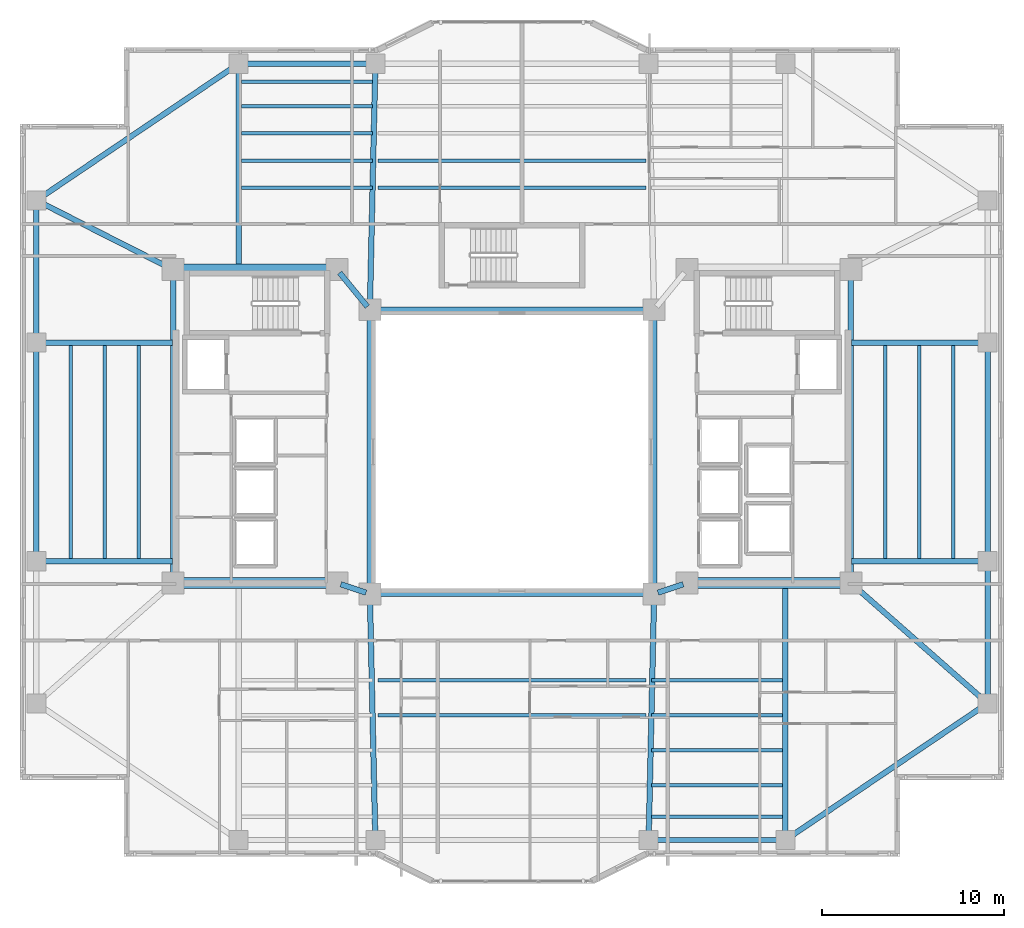
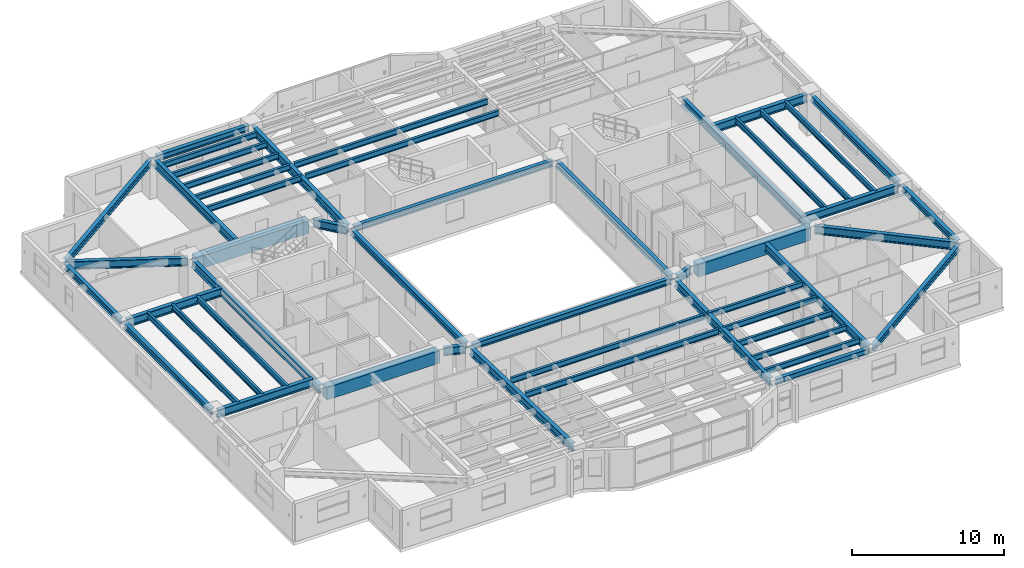
# One storey, part 3 of 18: 51 beams.
"""IFC4 building model written with IfcOpenShell, lengths in metres."""

from ifc_helpers import new_model, si_unit, direction, frame, origin, origin_2d, place, context, subcontext, project, spatial, rectangle, i_section, extrude, material, material_profile, profile_set, type_object, element, save


model = new_model("IFC4")

# Units and contexts
model_context = context("Model", 3, precision=1e-05, world=origin(), true_north=direction((0.0, 1.0)))
body_context = subcontext(model_context, "Body", "Model", "MODEL_VIEW")
ifc_project = project(units=[si_unit("LENGTHUNIT", "METRE"), si_unit("AREAUNIT", "SQUARE_METRE"), si_unit("VOLUMEUNIT", "CUBIC_METRE"), si_unit("PLANEANGLEUNIT", "RADIAN"), si_unit("MASSUNIT", "GRAM", prefix="KILO")], contexts=[model_context])

# Site, building, storey
site_placement = place(None, origin())
site = spatial("IfcSite", under=ifc_project, at=site_placement, CompositionType="ELEMENT")
building_placement = place(site_placement, origin())
building = spatial("IfcBuilding", under=site, at=building_placement, Name="Tarnavaz Court Tower", CompositionType="ELEMENT")
storey_placement = place(building_placement, frame((0.0, 0.0, 115.14990234375)))
storey = spatial("IfcBuildingStorey", under=building, at=storey_placement, Name="L31", CompositionType="ELEMENT", Elevation=115.14990234375)

# Beams
ifc_material_1 = material(Name="Concrete C60/75", Category="concrete")
ifc_material_profile_1 = material_profile(ifc_material_1, rectangle(XDim=0.60009765625, YDim=1.0, at=origin_2d()), Name="RC 600X1000")
ifc_profile_set_1 = profile_set([ifc_material_profile_1], Name="Concrete C60/75")
beam_type_1 = type_object("IfcBeamType", Name="BM-CB1000", PredefinedType="LINTEL", material=ifc_profile_set_1)
for number, where, z_axis, x_axis, name in (
    (1, (-18.3798828125, -7.199951171875, 2.550048828125), (1.0, 0.0, 0.0), (0.0, 1.0, 0.0), "L31 Beam IN-CW-SO-CW-SI"),
    (2, (-18.3798828125, 10.0, 2.550048828125), (1.0, 0.0, 0.0), (0.0, 1.0, 0.0), "L31 Beam IN-CW-NO-CW-NI"),
    (3, (18.3798828125, -7.199951171875, 2.550048828125), (-1.0, 0.0, 0.0), (0.0, -1.0, 0.0), "L31 Beam IN-CE-SO-CE-SI"),
):
    element("IfcBeam", number, at=place(storey_placement, frame(where, z_axis=z_axis, x_axis=x_axis)), inside=storey, type_object=beam_type_1, Name=name, PredefinedType="LINTEL", context=body_context, shape_type="SweptSolid", body=[
        extrude(rectangle(XDim=0.60009765625, YDim=1.0, at=origin_2d()), origin(), (0.0, 0.0, 1.0), 8.559814453125),
    ])
ifc_material_2 = material(Name="Steel S355", Category="steel")
ifc_material_profile_2 = material_profile(ifc_material_2, i_section(OverallWidth=0.300048828125, OverallDepth=0.64990234375, WebThickness=0.01611328125, FlangeThickness=0.031005859375, FilletRadius=0.027099609375, at=origin_2d()), Name="HEB 650")
ifc_profile_set_2 = profile_set([ifc_material_profile_2], Name="Steel S355")
beam_type_2 = type_object("IfcBeamType", Name="BM-G-HEB650", PredefinedType="USERDEFINED", material=ifc_profile_set_2)
for number, where, z_axis, x_axis, name in (
    (4, (-9.391357421875, -7.26953125, 2.72509765625), (0.948666544706, -0.316278021615, 0.0), (0.316278021615, 0.948666544706, 0.0), "L31 Beam IN-CW-SI-IW-SW"),
    (5, (9.391357421875, -7.26953125, 2.72509765625), (-0.948666544706, -0.316278021615, 0.0), (0.316278021615, -0.948666544706, 0.0), "L31 Beam IN-CE-SI-IW-SE"),
):
    element("IfcBeam", number, at=place(storey_placement, frame(where, z_axis=z_axis, x_axis=x_axis)), inside=storey, type_object=beam_type_2, Name=name, ObjectType="GIRDER", PredefinedType="USERDEFINED", context=body_context, shape_type="SweptSolid", body=[
        extrude(i_section(OverallWidth=0.300048828125, OverallDepth=0.64990234375, WebThickness=0.01611328125, FlangeThickness=0.031005859375, FilletRadius=0.027099609375, at=origin_2d()), origin(), (0.0, 0.0, 1.0), 1.457275390625),
    ])
beam_1_placement = place(storey_placement, frame((-9.460693359375, 9.82958984375, 2.72509765625), z_axis=(0.633282058357, -0.773921077735, 0.0), x_axis=(0.773921077735, 0.633282058357, 0.0)))
element("IfcBeam", 6, at=beam_1_placement, inside=storey, type_object=beam_type_2, Name="L31 Beam IN-CW-NI-IW-NW", ObjectType="GIRDER", PredefinedType="USERDEFINED", context=body_context, shape_type="SweptSolid", body=[
    extrude(i_section(OverallWidth=0.300048828125, OverallDepth=0.64990234375, WebThickness=0.01611328125, FlangeThickness=0.031005859375, FilletRadius=0.027099609375, at=origin_2d()), origin(), (0.0, 0.0, 1.0), 2.402587890625),
])
for number, where, z_axis, x_axis, name in (
    (7, (-18.60009765625, -6.97998046875, 2.72509765625), (0.0, 1.0, 0.0), (-1.0, 0.0, 0.0), "L31 Beam IN-CW-SO-CW-NO"),
    (8, (18.60009765625, -6.97998046875, 2.72509765625), (0.0, 1.0, 0.0), (-1.0, 0.0, 0.0), "L31 Beam IN-CE-SO-CE-NO"),
):
    element("IfcBeam", number, at=place(storey_placement, frame(where, z_axis=z_axis, x_axis=x_axis)), inside=storey, type_object=beam_type_2, Name=name, ObjectType="GIRDER", PredefinedType="USERDEFINED", context=body_context, shape_type="SweptSolid", body=[
        extrude(i_section(OverallWidth=0.300048828125, OverallDepth=0.64990234375, WebThickness=0.01611328125, FlangeThickness=0.031005859375, FilletRadius=0.027099609375, at=origin_2d()), origin(), (0.0, 0.0, 1.0), 16.760009765625),
    ])
beam_2_placement = place(storey_placement, frame((-15.0, 10.0400390625, 2.72509765625), z_axis=(0.0, 1.0, 0.0), x_axis=(-1.0, 0.0, 0.0)))
element("IfcBeam", 9, at=beam_2_placement, inside=storey, type_object=beam_type_2, Name="L31 Beam RG-01", ObjectType="GIRDER", PredefinedType="USERDEFINED", context=body_context, shape_type="SweptSolid", body=[
    extrude(i_section(OverallWidth=0.300048828125, OverallDepth=0.64990234375, WebThickness=0.01611328125, FlangeThickness=0.031005859375, FilletRadius=0.027099609375, at=origin_2d()), origin(), (0.0, 0.0, 1.0), 11.0400390625),
])
for number, where, z_axis, x_axis, name in (
    (10, (-7.795166015625, 8.02001953125, 2.72509765625), (0.022221303469, 0.99975307635, 0.0), (-0.99975307635, 0.022221303469, 0.0), "L31 Beam RG-02"),
    (11, (-7.795166015625, -8.02001953125, 2.72509765625), (0.022221303469, -0.99975307635, 0.0), (0.99975307635, 0.022221303469, 0.0), "L31 Beam RG-06"),
    (12, (7.795166015625, -8.02001953125, 2.72509765625), (-0.022221303469, -0.99975307635, 0.0), (0.99975307635, -0.022221303469, 0.0), "L31 Beam RG-07"),
):
    element("IfcBeam", number, at=place(storey_placement, frame(where, z_axis=z_axis, x_axis=x_axis)), inside=storey, type_object=beam_type_2, Name=name, ObjectType="GIRDER", PredefinedType="USERDEFINED", context=body_context, shape_type="SweptSolid", body=[
        extrude(i_section(OverallWidth=0.300048828125, OverallDepth=0.64990234375, WebThickness=0.01611328125, FlangeThickness=0.031005859375, FilletRadius=0.027099609375, at=origin_2d()), origin(), (0.0, 0.0, 1.0), 13.063232421875),
    ])
beam_3_placement = place(storey_placement, frame((15.0, -7.239990234375, 2.72509765625), z_axis=(0.0, -1.0, 0.0), x_axis=(1.0, 0.0, 0.0)))
element("IfcBeam", 13, at=beam_3_placement, inside=storey, type_object=beam_type_2, Name="L31 Beam RG-08", ObjectType="GIRDER", PredefinedType="USERDEFINED", context=body_context, shape_type="SweptSolid", body=[
    extrude(i_section(OverallWidth=0.300048828125, OverallDepth=0.64990234375, WebThickness=0.01611328125, FlangeThickness=0.031005859375, FilletRadius=0.027099609375, at=origin_2d()), origin(), (0.0, 0.0, 1.0), 13.840087890625),
])
for number, where, z_axis, x_axis, name in (
    (14, (18.639892578125, -6.0, 2.72509765625), (1.0, 0.0, 0.0), (0.0, 1.0, 0.0), "L31 Beam RG-09"),
    (15, (18.639892578125, 6.0, 2.72509765625), (1.0, 0.0, 0.0), (0.0, 1.0, 0.0), "L31 Beam RG-10"),
):
    element("IfcBeam", number, at=place(storey_placement, frame(where, z_axis=z_axis, x_axis=x_axis)), inside=storey, type_object=beam_type_2, Name=name, ObjectType="GIRDER", PredefinedType="USERDEFINED", context=body_context, shape_type="SweptSolid", body=[
        extrude(i_section(OverallWidth=0.300048828125, OverallDepth=0.64990234375, WebThickness=0.01611328125, FlangeThickness=0.031005859375, FilletRadius=0.027099609375, at=origin_2d()), origin(), (0.0, 0.0, 1.0), 7.239990234375),
    ])
beam_4_placement = place(storey_placement, frame((18.76513671875, -7.34521484375, 2.72509765625), z_axis=(0.750700332035, -0.660642877417, 0.0), x_axis=(0.660642877417, 0.750700332035, 0.0)))
element("IfcBeam", 16, at=beam_4_placement, inside=storey, type_object=beam_type_2, Name="L31 Beam RG-11", ObjectType="GIRDER", PredefinedType="USERDEFINED", context=body_context, shape_type="SweptSolid", body=[
    extrude(i_section(OverallWidth=0.300048828125, OverallDepth=0.64990234375, WebThickness=0.01611328125, FlangeThickness=0.031005859375, FilletRadius=0.027099609375, at=origin_2d()), origin(), (0.0, 0.0, 1.0), 9.550537109375),
])
for number, where, z_axis, x_axis, name in (
    (17, (-18.639892578125, -6.0, 2.72509765625), (-1.0, 0.0, 0.0), (0.0, -1.0, 0.0), "L31 Beam RG-13"),
    (18, (-18.639892578125, 6.0, 2.72509765625), (-1.0, 0.0, 0.0), (0.0, -1.0, 0.0), "L31 Beam RG-14"),
):
    element("IfcBeam", number, at=place(storey_placement, frame(where, z_axis=z_axis, x_axis=x_axis)), inside=storey, type_object=beam_type_2, Name=name, ObjectType="GIRDER", PredefinedType="USERDEFINED", context=body_context, shape_type="SweptSolid", body=[
        extrude(i_section(OverallWidth=0.300048828125, OverallDepth=0.64990234375, WebThickness=0.01611328125, FlangeThickness=0.031005859375, FilletRadius=0.027099609375, at=origin_2d()), origin(), (0.0, 0.0, 1.0), 7.239990234375),
    ])
beam_5_placement = place(storey_placement, frame((-18.796142578125, 10.099365234375, 2.72509765625), z_axis=(-0.892030669981, 0.451974870776, 0.0), x_axis=(-0.451974870776, -0.892030669981, 0.0)))
element("IfcBeam", 19, at=beam_5_placement, inside=storey, type_object=beam_type_2, Name="L31 Beam RG-16", ObjectType="GIRDER", PredefinedType="USERDEFINED", context=body_context, shape_type="SweptSolid", body=[
    extrude(i_section(OverallWidth=0.300048828125, OverallDepth=0.64990234375, WebThickness=0.01611328125, FlangeThickness=0.031005859375, FilletRadius=0.027099609375, at=origin_2d()), origin(), (0.0, 0.0, 1.0), 7.968017578125),
])
ifc_material_profile_3 = material_profile(ifc_material_2, i_section(OverallWidth=0.18994140625, OverallDepth=0.449951171875, WebThickness=0.009521484375, FlangeThickness=0.0146484375, FilletRadius=0.02099609375, at=origin_2d()), Name="IPE 450")
ifc_profile_set_3 = profile_set([ifc_material_profile_3], Name="Steel S355")
beam_type_3 = type_object("IfcBeamType", Name="BM-J-IPE450", PredefinedType="JOIST", material=ifc_profile_set_3)
beam_6_placement = place(storey_placement, frame((-14.85009765625, 14.493896484375, 2.8251953125), z_axis=(1.0, 0.0, 0.0), x_axis=(0.0, 1.0, 0.0)))
element("IfcBeam", 20, at=beam_6_placement, inside=storey, type_object=beam_type_3, Name="L31 Beam JN1-1", PredefinedType="JOIST", context=body_context, shape_type="SweptSolid", body=[
    extrude(i_section(OverallWidth=0.18994140625, OverallDepth=0.449951171875, WebThickness=0.009521484375, FlangeThickness=0.0146484375, FilletRadius=0.02099609375, at=origin_2d()), origin(), (0.0, 0.0, 1.0), 7.2001953125),
])
for number, where, z_axis, x_axis, name in (
    (21, (-7.35009765625, 14.493896484375, 2.8251953125), (1.0, 0.0, 0.0), (0.0, 1.0, 0.0), "L31 Beam JN1-2"),
    (22, (-7.35009765625, -12.52587890625, 2.8251953125), (1.0, 0.0, 0.0), (0.0, 1.0, 0.0), "L31 Beam JS1-2"),
):
    element("IfcBeam", number, at=place(storey_placement, frame(where, z_axis=z_axis, x_axis=x_axis)), inside=storey, type_object=beam_type_3, Name=name, PredefinedType="JOIST", context=body_context, shape_type="SweptSolid", body=[
        extrude(i_section(OverallWidth=0.18994140625, OverallDepth=0.449951171875, WebThickness=0.009521484375, FlangeThickness=0.0146484375, FilletRadius=0.02099609375, at=origin_2d()), origin(), (0.0, 0.0, 1.0), 14.7001953125),
    ])
for number, where, z_axis, x_axis, name in (
    (23, (7.64990234375, -12.52587890625, 2.8251953125), (1.0, 0.0, 0.0), (0.0, 1.0, 0.0), "L31 Beam JS1-3"),
    (24, (-14.85009765625, 15.988037109375, 2.8251953125), (1.0, 0.0, 0.0), (0.0, 1.0, 0.0), "L31 Beam JN2-1"),
):
    element("IfcBeam", number, at=place(storey_placement, frame(where, z_axis=z_axis, x_axis=x_axis)), inside=storey, type_object=beam_type_3, Name=name, PredefinedType="JOIST", context=body_context, shape_type="SweptSolid", body=[
        extrude(i_section(OverallWidth=0.18994140625, OverallDepth=0.449951171875, WebThickness=0.009521484375, FlangeThickness=0.0146484375, FilletRadius=0.02099609375, at=origin_2d()), origin(), (0.0, 0.0, 1.0), 7.2001953125),
    ])
for number, where, z_axis, x_axis, name in (
    (25, (-7.35009765625, 15.988037109375, 2.8251953125), (1.0, 0.0, 0.0), (0.0, 1.0, 0.0), "L31 Beam JN2-2"),
    (26, (-7.35009765625, -14.451904296875, 2.8251953125), (1.0, 0.0, 0.0), (0.0, 1.0, 0.0), "L31 Beam JS2-2"),
):
    element("IfcBeam", number, at=place(storey_placement, frame(where, z_axis=z_axis, x_axis=x_axis)), inside=storey, type_object=beam_type_3, Name=name, PredefinedType="JOIST", context=body_context, shape_type="SweptSolid", body=[
        extrude(i_section(OverallWidth=0.18994140625, OverallDepth=0.449951171875, WebThickness=0.009521484375, FlangeThickness=0.0146484375, FilletRadius=0.02099609375, at=origin_2d()), origin(), (0.0, 0.0, 1.0), 14.7001953125),
    ])
for number, where, z_axis, x_axis, name in (
    (27, (7.64990234375, -14.451904296875, 2.8251953125), (1.0, 0.0, 0.0), (0.0, 1.0, 0.0), "L31 Beam JS2-3"),
    (28, (-14.85009765625, 17.48193359375, 2.8251953125), (1.0, 0.0, 0.0), (0.0, 1.0, 0.0), "L31 Beam JN3-1"),
    (29, (7.64990234375, -16.3779296875, 2.8251953125), (1.0, 0.0, 0.0), (0.0, 1.0, 0.0), "L31 Beam JS3-3"),
    (30, (-14.85009765625, 18.97607421875, 2.8251953125), (1.0, 0.0, 0.0), (0.0, 1.0, 0.0), "L31 Beam JN4-1"),
    (31, (7.64990234375, -18.303955078125, 2.8251953125), (1.0, 0.0, 0.0), (0.0, 1.0, 0.0), "L31 Beam JS4-3"),
    (32, (-14.85009765625, 20.303955078125, 2.8251953125), (1.0, 0.0, 0.0), (0.0, 1.0, 0.0), "L31 Beam JN5-1"),
    (33, (7.64990234375, -20.01611328125, 2.8251953125), (1.0, 0.0, 0.0), (0.0, 1.0, 0.0), "L31 Beam JS5-3"),
):
    element("IfcBeam", number, at=place(storey_placement, frame(where, z_axis=z_axis, x_axis=x_axis)), inside=storey, type_object=beam_type_3, Name=name, PredefinedType="JOIST", context=body_context, shape_type="SweptSolid", body=[
        extrude(i_section(OverallWidth=0.18994140625, OverallDepth=0.449951171875, WebThickness=0.009521484375, FlangeThickness=0.0146484375, FilletRadius=0.02099609375, at=origin_2d()), origin(), (0.0, 0.0, 1.0), 7.2001953125),
    ])
for number, where, z_axis, x_axis, name in (
    (34, (20.47509765625, -5.9599609375, 2.8251953125), (0.0, 1.0, 0.0), (-1.0, 0.0, 0.0), "L31 Beam JE1"),
    (35, (-20.47509765625, -5.9599609375, 2.8251953125), (0.0, 1.0, 0.0), (-1.0, 0.0, 0.0), "L31 Beam JW1"),
    (36, (22.35009765625, -5.9599609375, 2.8251953125), (0.0, 1.0, 0.0), (-1.0, 0.0, 0.0), "L31 Beam JE2"),
    (37, (-22.35009765625, -5.9599609375, 2.8251953125), (0.0, 1.0, 0.0), (-1.0, 0.0, 0.0), "L31 Beam JW2"),
    (38, (24.22509765625, -5.9599609375, 2.8251953125), (0.0, 1.0, 0.0), (-1.0, 0.0, 0.0), "L31 Beam JE3"),
    (39, (-24.22509765625, -5.9599609375, 2.8251953125), (0.0, 1.0, 0.0), (-1.0, 0.0, 0.0), "L31 Beam JW3"),
):
    element("IfcBeam", number, at=place(storey_placement, frame(where, z_axis=z_axis, x_axis=x_axis)), inside=storey, type_object=beam_type_3, Name=name, PredefinedType="JOIST", context=body_context, shape_type="SweptSolid", body=[
        extrude(i_section(OverallWidth=0.18994140625, OverallDepth=0.449951171875, WebThickness=0.009521484375, FlangeThickness=0.0146484375, FilletRadius=0.02099609375, at=origin_2d()), origin(), (0.0, 0.0, 1.0), 11.919921875),
    ])
ifc_material_profile_4 = material_profile(ifc_material_2, i_section(OverallWidth=0.300048828125, OverallDepth=0.489990234375, WebThickness=0.011962890625, FlangeThickness=0.02294921875, FilletRadius=0.027099609375, at=origin_2d()), Name="HEA 500")
ifc_profile_set_4 = profile_set([ifc_material_profile_4], Name="Steel S355")
beam_type_4 = type_object("IfcBeamType", Name="BM-SP-HEA500", PredefinedType="SPANDREL", material=ifc_profile_set_4)
for number, where, z_axis, x_axis, name in (
    (40, (-7.580078125, -7.800048828125, 2.80517578125), (1.0, 0.0, 0.0), (0.0, 1.0, 0.0), "L31 Beam IN-IW-SW-IW-SE"),
    (41, (-7.580078125, 7.800048828125, 2.80517578125), (1.0, 0.0, 0.0), (0.0, 1.0, 0.0), "L31 Beam IN-IW-NW-IW-NE"),
    (42, (-7.800048828125, -7.580078125, 2.80517578125), (0.0, 1.0, 0.0), (-1.0, 0.0, 0.0), "L31 Beam IN-IW-SW-IW-NW"),
    (43, (7.800048828125, -7.580078125, 2.80517578125), (0.0, 1.0, 0.0), (-1.0, 0.0, 0.0), "L31 Beam IN-IW-SE-IW-NE"),
):
    element("IfcBeam", number, at=place(storey_placement, frame(where, z_axis=z_axis, x_axis=x_axis)), inside=storey, type_object=beam_type_4, Name=name, PredefinedType="SPANDREL", context=body_context, shape_type="SweptSolid", body=[
        extrude(i_section(OverallWidth=0.300048828125, OverallDepth=0.489990234375, WebThickness=0.011962890625, FlangeThickness=0.02294921875, FilletRadius=0.027099609375, at=origin_2d()), origin(), (0.0, 0.0, 1.0), 15.16015625),
    ])
for number, where, z_axis, x_axis, name in (
    (44, (-14.780029296875, 21.300048828125, 2.80517578125), (1.0, 0.0, 0.0), (0.0, 1.0, 0.0), "L31 Beam PR-PN-1-PN-2"),
    (45, (7.719970703125, -21.300048828125, 2.80517578125), (1.0, 0.0, 0.0), (0.0, 1.0, 0.0), "L31 Beam PR-PS-3-PS-4"),
):
    element("IfcBeam", number, at=place(storey_placement, frame(where, z_axis=z_axis, x_axis=x_axis)), inside=storey, type_object=beam_type_4, Name=name, PredefinedType="SPANDREL", context=body_context, shape_type="SweptSolid", body=[
        extrude(i_section(OverallWidth=0.300048828125, OverallDepth=0.489990234375, WebThickness=0.011962890625, FlangeThickness=0.02294921875, FilletRadius=0.027099609375, at=origin_2d()), origin(), (0.0, 0.0, 1.0), 7.06005859375),
    ])
beam_7_placement = place(storey_placement, frame((26.10009765625, -13.580078125, 2.80517578125), z_axis=(0.0, 1.0, 0.0), x_axis=(-1.0, 0.0, 0.0)))
element("IfcBeam", 46, at=beam_7_placement, inside=storey, type_object=beam_type_4, Name="L31 Beam PR-PE-1-PE-2", PredefinedType="SPANDREL", context=body_context, shape_type="SweptSolid", body=[
    extrude(i_section(OverallWidth=0.300048828125, OverallDepth=0.489990234375, WebThickness=0.011962890625, FlangeThickness=0.02294921875, FilletRadius=0.027099609375, at=origin_2d()), origin(), (0.0, 0.0, 1.0), 7.360107421875),
])
for number, where, z_axis, x_axis, name in (
    (47, (26.10009765625, -5.780029296875, 2.80517578125), (0.0, 1.0, 0.0), (-1.0, 0.0, 0.0), "L31 Beam PR-PE-2-PE-3"),
    (48, (-26.10009765625, -5.780029296875, 2.80517578125), (0.0, 1.0, 0.0), (-1.0, 0.0, 0.0), "L31 Beam PR-PW-2-PW-3"),
):
    element("IfcBeam", number, at=place(storey_placement, frame(where, z_axis=z_axis, x_axis=x_axis)), inside=storey, type_object=beam_type_4, Name=name, PredefinedType="SPANDREL", context=body_context, shape_type="SweptSolid", body=[
        extrude(i_section(OverallWidth=0.300048828125, OverallDepth=0.489990234375, WebThickness=0.011962890625, FlangeThickness=0.02294921875, FilletRadius=0.027099609375, at=origin_2d()), origin(), (0.0, 0.0, 1.0), 11.56005859375),
    ])
beam_8_placement = place(storey_placement, frame((-26.10009765625, 6.219970703125, 2.80517578125), z_axis=(0.0, 1.0, 0.0), x_axis=(-1.0, 0.0, 0.0)))
element("IfcBeam", 49, at=beam_8_placement, inside=storey, type_object=beam_type_4, Name="L31 Beam PR-PW-3-PW-4", PredefinedType="SPANDREL", context=body_context, shape_type="SweptSolid", body=[
    extrude(i_section(OverallWidth=0.300048828125, OverallDepth=0.489990234375, WebThickness=0.011962890625, FlangeThickness=0.02294921875, FilletRadius=0.027099609375, at=origin_2d()), origin(), (0.0, 0.0, 1.0), 7.360107421875),
])
for number, where, z_axis, x_axis, name in (
    (50, (25.917724609375, -13.923095703125, 2.80517578125), (-0.828587314918, -0.559859858854, 0.0), (0.559859858854, -0.828587314918, 0.0), "L31 Beam PR-PE-1-PS-4"),
    (51, (-25.917724609375, 13.923095703125, 2.80517578125), (0.828587314918, 0.559859858854, 0.0), (-0.559859858854, 0.828587314918, 0.0), "L31 Beam PR-PW-4-PN-1"),
):
    element("IfcBeam", number, at=place(storey_placement, frame(where, z_axis=z_axis, x_axis=x_axis)), inside=storey, type_object=beam_type_4, Name=name, PredefinedType="SPANDREL", context=body_context, shape_type="SweptSolid", body=[
        extrude(i_section(OverallWidth=0.300048828125, OverallDepth=0.489990234375, WebThickness=0.011962890625, FlangeThickness=0.02294921875, FilletRadius=0.027099609375, at=origin_2d()), origin(), (0.0, 0.0, 1.0), 12.956298828125),
    ])

save(model, "model.ifc")
